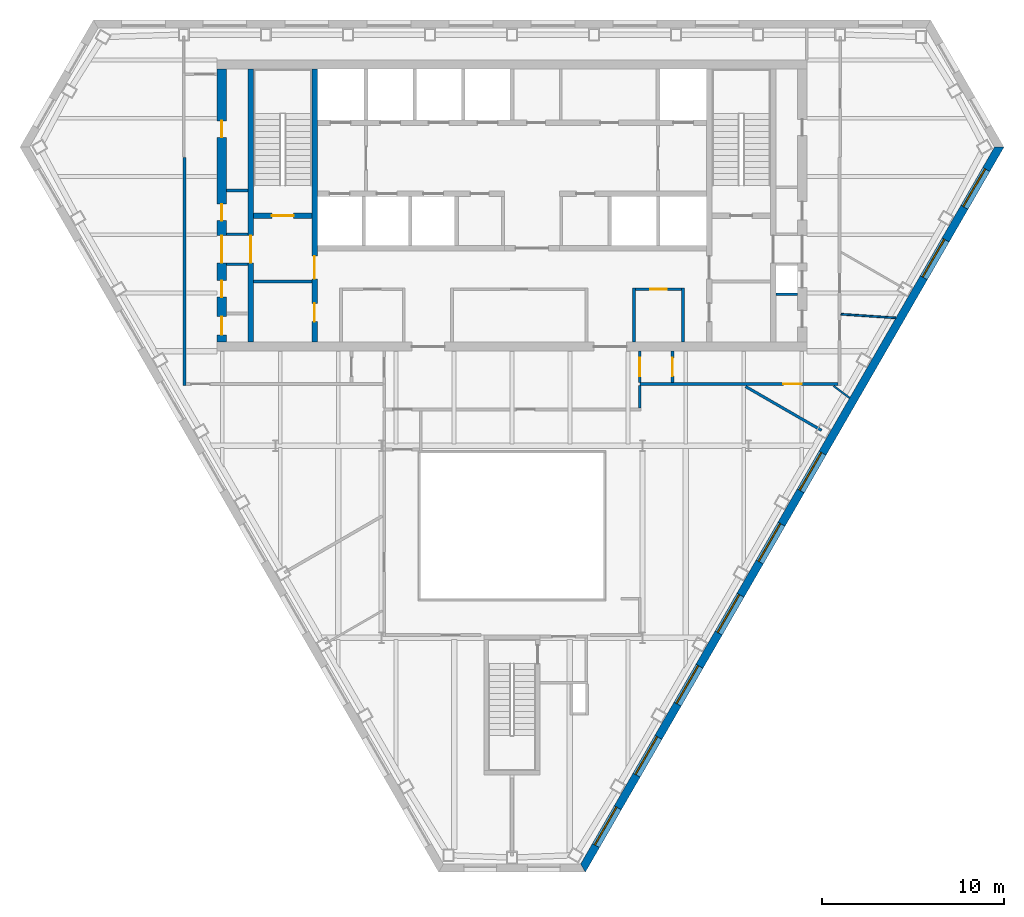
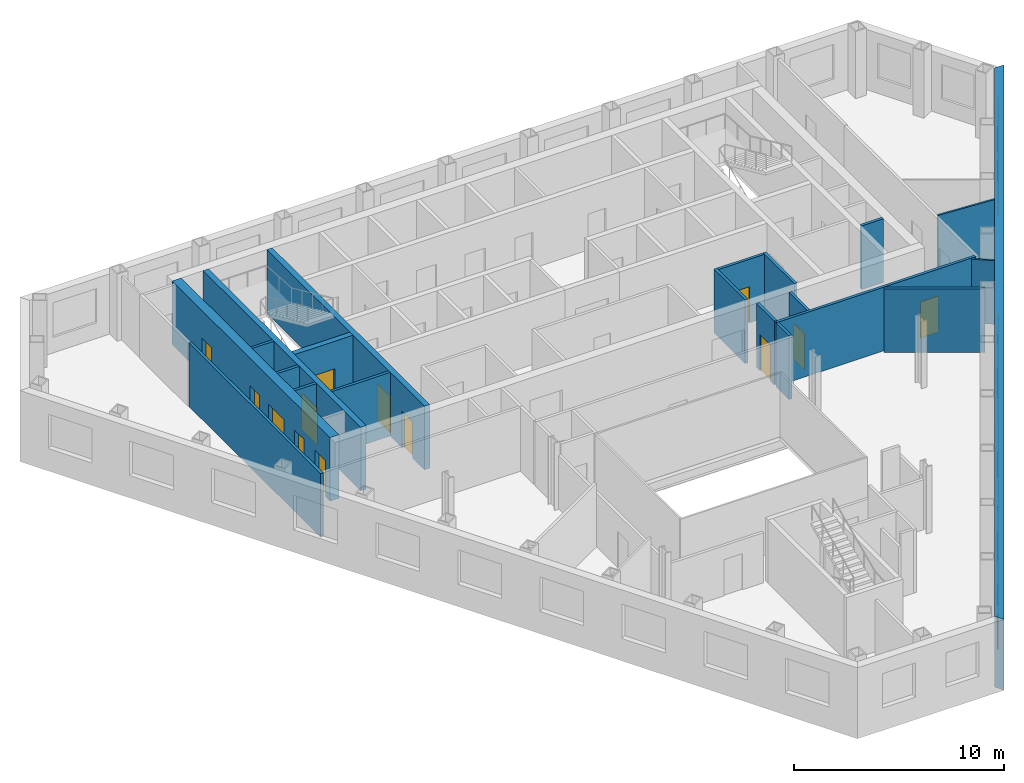
# One storey, part 5 of 11: 21 walls, 13 doors, 8 windows, 21 openings.
"""IFC4 building model written with IfcOpenShell, lengths in metres."""

from ifc_helpers import new_model, si_unit, direction, frame, frame_2d, origin, place, context, subcontext, project, spatial, polyline, rectangle, outline, extrude, material, layer, layer_set, type_object, element, fill, save


model = new_model("IFC4")

# Units and contexts
model_context = context("Model", 3, precision=1e-05, world=origin(), true_north=direction((0.0, 1.0)))
body_context = subcontext(model_context, "Body", "Model", "MODEL_VIEW")
ifc_project = project(units=[si_unit("LENGTHUNIT", "METRE"), si_unit("AREAUNIT", "SQUARE_METRE"), si_unit("VOLUMEUNIT", "CUBIC_METRE"), si_unit("PLANEANGLEUNIT", "RADIAN"), si_unit("MASSUNIT", "GRAM", prefix="KILO")], contexts=[model_context])

# Site, building, storey
site_placement = place(None, origin())
site = spatial("IfcSite", under=ifc_project, at=site_placement, CompositionType="ELEMENT")
building_placement = place(site_placement, origin())
building = spatial("IfcBuilding", under=site, at=building_placement, Name="Njiva Tower", CompositionType="ELEMENT")
storey_placement = place(building_placement, frame((0.0, 0.0, 182.7)))
storey = spatial("IfcBuildingStorey", under=building, at=storey_placement, Name="L40", CompositionType="ELEMENT", Elevation=182.7)

# Walls
ifc_material_1 = material(Name="Blockwork", Category="masonry")
ifc_layer_1 = layer(ifc_material_1, 0.15)
ifc_layer_set_1 = layer_set([ifc_layer_1], Name="Blockwork")
wall_type_1 = type_object("IfcWallType", Name="WT1 Compartment partition 150", PredefinedType="PARTITIONING", material=ifc_layer_set_1)
wall_1_placement = place(storey_placement, frame((-14.2, 5.825, 0.0), z_axis=(0.0, 0.0, 1.0), x_axis=(1.0, 0.0, 0.0)))
element("IfcWall", 1, at=wall_1_placement, inside=storey, type_object=wall_type_1, Name="Room wall A", PredefinedType="PARTITIONING", context=body_context, shape_type="SweptSolid", body=[
    extrude(rectangle(XDim=3.2, YDim=0.15, at=frame_2d((1.6, 0.0))), origin(), (0.0, 0.0, 1.0), 3.7),
])
for number, where, z_axis, x_axis, name in (
    (2, (6.7, 2.5, 0.0), (0.0, 0.0, 1.0), (0.0, 1.0, 0.0), "Information office wall west"),
    (3, (9.4, 2.5, 0.0), (0.0, 0.0, 1.0), (0.0, 1.0, 0.0), "Information office wall east"),
):
    element("IfcWall", number, at=place(storey_placement, frame(where, z_axis=z_axis, x_axis=x_axis)), inside=storey, type_object=wall_type_1, Name=name, PredefinedType="PARTITIONING", context=body_context, shape_type="SweptSolid", body=[
        extrude(rectangle(XDim=2.975, YDim=0.15, at=frame_2d((1.4875, 0.0))), origin(), (0.0, 0.0, 1.0), 3.7),
    ])

# Wall, opening, door
wall_2_placement = place(storey_placement, frame((6.775, 5.4, 0.0), z_axis=(0.0, 0.0, 1.0), x_axis=(1.0, 0.0, 0.0)))
wall_2 = element("IfcWall", 4, at=wall_2_placement, inside=storey, type_object=wall_type_1, Name="Information office wall north", PredefinedType="PARTITIONING", context=body_context, shape_type="SweptSolid", body=[
    extrude(rectangle(XDim=2.55, YDim=0.15, at=frame_2d((1.275, 0.0))), origin(), (0.0, 0.0, 1.0), 3.7),
])
opening_1_placement = place(wall_2_placement, frame((0.825, 0.0, 0.0)))
opening_1 = element("IfcOpeningElement", 5, at=opening_1_placement, cuts=wall_2, Name="Opening S13-D935", PredefinedType="OPENING", context=body_context, shape_type="SweptSolid", body=[
    extrude(rectangle(XDim=0.9, YDim=2.1, at=frame_2d((0.45, 1.05))), frame((0.0, 0.085, 0.0), z_axis=(0.0, -1.0, 0.0), x_axis=(1.0, 0.0, 0.0)), (0.0, 0.0, 1.0), 0.17),
])
ifc_material_2 = material(Name="Steel fire door, painted", Category="steel")
door_type_1 = type_object("IfcDoorType", Name="D6 Fire-rated door 900x2100", OperationType="SINGLE_SWING_LEFT", PredefinedType="DOOR", material=ifc_material_2)
door_1_placement = place(opening_1_placement, origin())
door_1 = element("IfcDoor", 6, at=door_1_placement, inside=storey, type_object=door_type_1, Name="Information office door", OperationType="SINGLE_SWING_RIGHT", OverallHeight=2.1, OverallWidth=0.9, PredefinedType="DOOR", context=body_context, shape_type="SweptSolid", body=[
    extrude(rectangle(XDim=0.9, YDim=2.1, at=frame_2d((0.45, 1.05))), frame((0.0, 0.025, 0.0), z_axis=(0.0, -1.0, 0.0), x_axis=(1.0, 0.0, 0.0)), (0.0, 0.0, 1.0), 0.05),
])
fill(opening_1, door_1)

# Wall, openings, doors
ifc_material_3 = material(Name="Concrete C40/50", Category="concrete")
ifc_layer_2 = layer(ifc_material_3, 0.3)
ifc_layer_set_2 = layer_set([ifc_layer_2], Name="Concrete C40/50")
wall_type_2 = type_object("IfcWallType", Name="WT10 Stair enclosure wall 300", PredefinedType="SHEAR", material=ifc_layer_set_2)
wall_3_placement = place(storey_placement, frame((-10.85, 2.5, 0.0), z_axis=(0.0, 0.0, 1.0), x_axis=(0.0, 1.0, 0.0)))
wall_3 = element("IfcWall", 7, at=wall_3_placement, inside=storey, type_object=wall_type_2, Name="Stair wall west inner", PredefinedType="SHEAR", context=body_context, shape_type="SweptSolid", body=[
    extrude(rectangle(XDim=15.0, YDim=0.3, at=frame_2d((7.5, 0.0))), origin(), (0.0, 0.0, 1.0), 3.7),
])
opening_2_placement = place(wall_3_placement, frame((3.475, 0.0, 0.0)))
opening_2 = element("IfcOpeningElement", 8, at=opening_2_placement, cuts=wall_3, Name="Opening S13-D915", PredefinedType="OPENING", context=body_context, shape_type="SweptSolid", body=[
    extrude(rectangle(XDim=1.25, YDim=2.1, at=frame_2d((0.625, 1.05))), frame((0.0, 0.16, 0.0), z_axis=(0.0, -1.0, 0.0), x_axis=(1.0, 0.0, 0.0)), (0.0, 0.0, 1.0), 0.32),
])
opening_3_placement = place(wall_3_placement, frame((1.125, 0.0, 0.0)))
opening_3 = element("IfcOpeningElement", 9, at=opening_3_placement, cuts=wall_3, Name="Opening S13-D916", PredefinedType="OPENING", context=body_context, shape_type="SweptSolid", body=[
    extrude(rectangle(XDim=1.0, YDim=2.1, at=frame_2d((0.5, 1.05))), frame((0.0, 0.16, 0.0), z_axis=(0.0, -1.0, 0.0), x_axis=(1.0, 0.0, 0.0)), (0.0, 0.0, 1.0), 0.32),
])
ifc_material_4 = material(Name="Steel door, painted", Category="steel")
door_type_2 = type_object("IfcDoorType", Name="D5 Steel door 1000x2100", OperationType="SINGLE_SWING_LEFT", PredefinedType="DOOR", material=ifc_material_4)
door_2_placement = place(opening_3_placement, origin())
door_2 = element("IfcDoor", 10, at=door_2_placement, inside=storey, type_object=door_type_2, Name="Reading room door", OperationType="SINGLE_SWING_RIGHT", OverallHeight=2.1, OverallWidth=1.0, PredefinedType="DOOR", context=body_context, shape_type="SweptSolid", body=[
    extrude(rectangle(XDim=1.0, YDim=2.1, at=frame_2d((0.5, 1.05))), frame((0.0, 0.025, 0.0), z_axis=(0.0, -1.0, 0.0), x_axis=(1.0, 0.0, 0.0)), (0.0, 0.0, 1.0), 0.05),
])
fill(opening_3, door_2)
ifc_material_5 = material(Name="Glazed steel fire door", Category="steel")
door_type_3 = type_object("IfcDoorType", Name="D8 Vestibule corridor door 1250x2100 glazed", OperationType="SINGLE_SWING_LEFT", PredefinedType="DOOR", material=ifc_material_5)
door_3_placement = place(opening_2_placement, origin())
door_3 = element("IfcDoor", 11, at=door_3_placement, inside=storey, type_object=door_type_3, Name="Stair vestibule corridor door", OperationType="SINGLE_SWING_LEFT", OverallHeight=2.1, OverallWidth=1.25, PredefinedType="DOOR", context=body_context, shape_type="SweptSolid", body=[
    extrude(rectangle(XDim=1.25, YDim=2.1, at=frame_2d((0.625, 1.05))), frame((0.0, 0.025, 0.0), z_axis=(0.0, -1.0, 0.0), x_axis=(1.0, 0.0, 0.0)), (0.0, 0.0, 1.0), 0.05),
])
fill(opening_2, door_3)

# Wall, opening, door
wall_4_placement = place(storey_placement, frame((-14.35, 2.5, 0.0), z_axis=(0.0, 0.0, 1.0), x_axis=(0.0, 1.0, 0.0)))
wall_4 = element("IfcWall", 12, at=wall_4_placement, inside=storey, type_object=wall_type_2, Name="Stair wall west outer", PredefinedType="SHEAR", context=body_context, shape_type="SweptSolid", body=[
    extrude(rectangle(XDim=15.0, YDim=0.3, at=frame_2d((7.5, 0.0))), origin(), (0.0, 0.0, 1.0), 3.7),
])
opening_4_placement = place(wall_4_placement, frame((4.35, 0.0, 0.0)))
opening_4 = element("IfcOpeningElement", 13, at=opening_4_placement, cuts=wall_4, Name="Opening S13-D921", PredefinedType="OPENING", context=body_context, shape_type="SweptSolid", body=[
    extrude(rectangle(XDim=1.5, YDim=2.1, at=frame_2d((0.75, 1.05))), frame((0.0, 0.16, 0.0), z_axis=(0.0, -1.0, 0.0), x_axis=(1.0, 0.0, 0.0)), (0.0, 0.0, 1.0), 0.32),
])
door_type_4 = type_object("IfcDoorType", Name="D10 Exit door double 1500x2100 glazed", OperationType="DOUBLE_DOOR_SINGLE_SWING", PredefinedType="DOOR", material=ifc_material_5)
door_4_placement = place(opening_4_placement, origin())
door_4 = element("IfcDoor", 14, at=door_4_placement, inside=storey, type_object=door_type_4, Name="Stair A passage door", OperationType="DOUBLE_DOOR_SINGLE_SWING", OverallHeight=2.1, OverallWidth=1.5, PredefinedType="DOOR", context=body_context, shape_type="SweptSolid", body=[
    extrude(rectangle(XDim=1.5, YDim=2.1, at=frame_2d((0.75, 1.05))), frame((0.0, 0.025, 0.0), z_axis=(0.0, -1.0, 0.0), x_axis=(1.0, 0.0, 0.0)), (0.0, 0.0, 1.0), 0.05),
])
fill(opening_4, door_4)

wall_5_placement = place(storey_placement, frame((-14.2, 9.45, 0.0), z_axis=(0.0, 0.0, 1.0), x_axis=(1.0, 0.0, 0.0)))
wall_5 = element("IfcWall", 15, at=wall_5_placement, inside=storey, type_object=wall_type_2, Name="Stair A south wall", PredefinedType="SHEAR", context=body_context, shape_type="SweptSolid", body=[
    extrude(rectangle(XDim=3.2, YDim=0.3, at=frame_2d((1.6, 0.0))), origin(), (0.0, 0.0, 1.0), 3.7),
])
opening_5_placement = place(wall_5_placement, frame((1.0, 0.0, 0.0)))
opening_5 = element("IfcOpeningElement", 16, at=opening_5_placement, cuts=wall_5, Name="Opening S13-D914", PredefinedType="OPENING", context=body_context, shape_type="SweptSolid", body=[
    extrude(rectangle(XDim=1.2, YDim=2.1, at=frame_2d((0.6, 1.05))), frame((0.0, 0.16, 0.0), z_axis=(0.0, -1.0, 0.0), x_axis=(1.0, 0.0, 0.0)), (0.0, 0.0, 1.0), 0.32),
])
door_type_5 = type_object("IfcDoorType", Name="D7 Stair vestibule door 1200x2100 glazed", OperationType="SINGLE_SWING_LEFT", PredefinedType="DOOR", material=ifc_material_5)
door_5_placement = place(opening_5_placement, origin())
door_5 = element("IfcDoor", 17, at=door_5_placement, inside=storey, type_object=door_type_5, Name="Stair A door", OperationType="SINGLE_SWING_LEFT", OverallHeight=2.1, OverallWidth=1.2, PredefinedType="DOOR", context=body_context, shape_type="SweptSolid", body=[
    extrude(rectangle(XDim=1.2, YDim=2.1, at=frame_2d((0.6, 1.05))), frame((0.0, 0.025, 0.0), z_axis=(0.0, -1.0, 0.0), x_axis=(1.0, 0.0, 0.0)), (0.0, 0.0, 1.0), 0.05),
])
fill(opening_5, door_5)

# Wall, openings, doors
ifc_material_6 = material(Name="Concrete C60/75", Category="concrete")
ifc_layer_3 = layer(ifc_material_6, 0.5)
ifc_layer_set_3 = layer_set([ifc_layer_3], Name="Concrete C60/75")
wall_type_3 = type_object("IfcWallType", Name="WT13 Core wall 500", PredefinedType="SHEAR", material=ifc_layer_set_3)
wall_6_placement = place(storey_placement, frame((-15.95, 2.5, 0.0), z_axis=(0.0, 0.0, 1.0), x_axis=(0.0, 1.0, 0.0)))
wall_6 = element("IfcWall", 18, at=wall_6_placement, inside=storey, type_object=wall_type_3, Name="Core wall west", PredefinedType="SHEAR", context=body_context, shape_type="SweptSolid", body=[
    extrude(rectangle(XDim=15.0, YDim=0.5, at=frame_2d((7.5, 0.0))), origin(), (0.0, 0.0, 1.0), 3.7),
])
opening_6_placement = place(wall_6_placement, frame((4.35, 0.0, 0.0)))
opening_6 = element("IfcOpeningElement", 19, at=opening_6_placement, cuts=wall_6, Name="Opening S13-D922", PredefinedType="OPENING", context=body_context, shape_type="SweptSolid", body=[
    extrude(rectangle(XDim=1.5, YDim=2.1, at=frame_2d((0.75, 1.05))), frame((0.0, 0.26, 0.0), z_axis=(0.0, -1.0, 0.0), x_axis=(1.0, 0.0, 0.0)), (0.0, 0.0, 1.0), 0.52),
])
opening_7_placement = place(wall_6_placement, frame((0.4, 0.0, 0.0)))
opening_7 = element("IfcOpeningElement", 20, at=opening_7_placement, cuts=wall_6, Name="Opening S13-D923", PredefinedType="OPENING", context=body_context, shape_type="SweptSolid", body=[
    extrude(rectangle(XDim=1.0, YDim=2.1, at=frame_2d((0.5, 1.05))), frame((0.0, 0.26, 0.0), z_axis=(0.0, -1.0, 0.0), x_axis=(1.0, 0.0, 0.0)), (0.0, 0.0, 1.0), 0.52),
])
opening_8_placement = place(wall_6_placement, frame((2.475, 0.0, 0.0)))
opening_8 = element("IfcOpeningElement", 21, at=opening_8_placement, cuts=wall_6, Name="Opening S13-D924", PredefinedType="OPENING", context=body_context, shape_type="SweptSolid", body=[
    extrude(rectangle(XDim=0.9, YDim=2.1, at=frame_2d((0.45, 1.05))), frame((0.0, 0.26, 0.0), z_axis=(0.0, -1.0, 0.0), x_axis=(1.0, 0.0, 0.0)), (0.0, 0.0, 1.0), 0.52),
])
opening_9_placement = place(wall_6_placement, frame((6.6773, 0.0, 0.0)))
opening_9 = element("IfcOpeningElement", 22, at=opening_9_placement, cuts=wall_6, Name="Opening S13-D925", PredefinedType="OPENING", context=body_context, shape_type="SweptSolid", body=[
    extrude(rectangle(XDim=0.9, YDim=2.1, at=frame_2d((0.45, 1.05))), frame((0.0, 0.26, 0.0), z_axis=(0.0, -1.0, 0.0), x_axis=(1.0, 0.0, 0.0)), (0.0, 0.0, 1.0), 0.52),
])
opening_10_placement = place(wall_6_placement, frame((11.2523, 0.0, 0.0)))
opening_10 = element("IfcOpeningElement", 23, at=opening_10_placement, cuts=wall_6, Name="Opening S13-D926", PredefinedType="OPENING", context=body_context, shape_type="SweptSolid", body=[
    extrude(rectangle(XDim=0.9, YDim=2.1, at=frame_2d((0.45, 1.05))), frame((0.0, 0.26, 0.0), z_axis=(0.0, -1.0, 0.0), x_axis=(1.0, 0.0, 0.0)), (0.0, 0.0, 1.0), 0.52),
])
door_6_placement = place(opening_6_placement, origin())
door_6 = element("IfcDoor", 24, at=door_6_placement, inside=storey, type_object=door_type_4, Name="Stair A corridor door", OperationType="DOUBLE_DOOR_SINGLE_SWING", OverallHeight=2.1, OverallWidth=1.5, PredefinedType="DOOR", context=body_context, shape_type="SweptSolid", body=[
    extrude(rectangle(XDim=1.5, YDim=2.1, at=frame_2d((0.75, 1.05))), frame((0.0, 0.025, 0.0), z_axis=(0.0, -1.0, 0.0), x_axis=(1.0, 0.0, 0.0)), (0.0, 0.0, 1.0), 0.05),
])
fill(opening_6, door_6)
door_type_6 = type_object("IfcDoorType", Name="D4 Riser door 900x2100", OperationType="SINGLE_SWING_LEFT", PredefinedType="DOOR", material=ifc_material_4)
door_7_placement = place(opening_9_placement, origin())
door_7 = element("IfcDoor", 25, at=door_7_placement, inside=storey, type_object=door_type_6, Name="Cable riser door", OperationType="SINGLE_SWING_RIGHT", OverallHeight=2.1, OverallWidth=0.9, PredefinedType="DOOR", context=body_context, shape_type="SweptSolid", body=[
    extrude(rectangle(XDim=0.9, YDim=2.1, at=frame_2d((0.45, 1.05))), frame((0.0, 0.025, 0.0), z_axis=(0.0, -1.0, 0.0), x_axis=(1.0, 0.0, 0.0)), (0.0, 0.0, 1.0), 0.05),
])
fill(opening_9, door_7)
door_8_placement = place(opening_7_placement, origin())
door_8 = element("IfcDoor", 26, at=door_8_placement, inside=storey, type_object=door_type_2, Name="Electrical room door", OperationType="SINGLE_SWING_RIGHT", OverallHeight=2.1, OverallWidth=1.0, PredefinedType="DOOR", context=body_context, shape_type="SweptSolid", body=[
    extrude(rectangle(XDim=1.0, YDim=2.1, at=frame_2d((0.5, 1.05))), frame((0.0, 0.025, 0.0), z_axis=(0.0, -1.0, 0.0), x_axis=(1.0, 0.0, 0.0)), (0.0, 0.0, 1.0), 0.05),
])
fill(opening_7, door_8)
door_9_placement = place(opening_8_placement, origin())
door_9 = element("IfcDoor", 27, at=door_9_placement, inside=storey, type_object=door_type_1, Name="Cable store door", OperationType="SINGLE_SWING_RIGHT", OverallHeight=2.1, OverallWidth=0.9, PredefinedType="DOOR", context=body_context, shape_type="SweptSolid", body=[
    extrude(rectangle(XDim=0.9, YDim=2.1, at=frame_2d((0.45, 1.05))), frame((0.0, 0.025, 0.0), z_axis=(0.0, -1.0, 0.0), x_axis=(1.0, 0.0, 0.0)), (0.0, 0.0, 1.0), 0.05),
])
fill(opening_8, door_9)
door_10_placement = place(opening_10_placement, origin())
door_10 = element("IfcDoor", 28, at=door_10_placement, inside=storey, type_object=door_type_1, Name="Cable store door", OperationType="SINGLE_SWING_LEFT", OverallHeight=2.1, OverallWidth=0.9, PredefinedType="DOOR", context=body_context, shape_type="SweptSolid", body=[
    extrude(rectangle(XDim=0.9, YDim=2.1, at=frame_2d((0.45, 1.05))), frame((0.0, 0.025, 0.0), z_axis=(0.0, -1.0, 0.0), x_axis=(1.0, 0.0, 0.0)), (0.0, 0.0, 1.0), 0.05),
])
fill(opening_10, door_10)

# Walls
ifc_material_7 = material(Name="Gypsum board on steel studs", Category="gypsum")
ifc_layer_4 = layer(ifc_material_7, 0.1)
ifc_layer_set_4 = layer_set([ifc_layer_4], Name="Gypsum board on steel studs")
wall_type_4 = type_object("IfcWallType", Name="WT20 Gypsum partition 100", PredefinedType="PARTITIONING", material=ifc_layer_set_4)
wall_7_placement = place(storey_placement, frame((17.678, 0.085, 0.0), z_axis=(0.0, 0.0, 1.0), x_axis=(0.8020803948, -0.597216075033, 0.0)))
element("IfcWall", 29, at=wall_7_placement, inside=storey, type_object=wall_type_4, Name="Partition S13-P026", PredefinedType="PARTITIONING", context=body_context, shape_type="SweptSolid", body=[
    extrude(rectangle(XDim=1.0934, YDim=0.1, at=frame_2d((0.5467, 0.0))), origin(), (0.0, 0.0, 1.0), 3.7),
])
wall_8_placement = place(storey_placement, frame((18.078, 4.033, 0.0), z_axis=(0.0, 0.0, 1.0), x_axis=(0.997764616993, -0.066826410024, 0.0)))
element("IfcWall", 30, at=wall_8_placement, inside=storey, type_object=wall_type_4, Name="Partition S13-P029", PredefinedType="PARTITIONING", context=body_context, shape_type="SweptSolid", body=[
    extrude(rectangle(XDim=3.0228, YDim=0.1, at=frame_2d((1.5114, 0.0))), origin(), (0.0, 0.0, 1.0), 3.7),
])
ifc_layer_5 = layer(ifc_material_7, 0.15)
ifc_layer_set_5 = layer_set([ifc_layer_5], Name="Gypsum board on steel studs")
wall_type_5 = type_object("IfcWallType", Name="WT21 Compartment wall 150", PredefinedType="PARTITIONING", material=ifc_layer_set_5)
wall_9_placement = place(storey_placement, frame((-18.0, 0.125, 0.0), z_axis=(0.0, 0.0, 1.0), x_axis=(0.0, 1.0, 0.0)))
element("IfcWall", 31, at=wall_9_placement, inside=storey, type_object=wall_type_5, Name="Partition S13-P003", PredefinedType="PARTITIONING", context=body_context, shape_type="SweptSolid", body=[
    extrude(rectangle(XDim=12.532, YDim=0.15, at=frame_2d((6.266, 0.0))), origin(), (0.0, 0.0, 1.0), 3.7),
])
wall_10_placement = place(storey_placement, frame((7.02, -1.125, 0.0), z_axis=(0.0, 0.0, 1.0), x_axis=(0.0, 1.0, 0.0)))
element("IfcWall", 32, at=wall_10_placement, inside=storey, type_object=wall_type_5, Name="Partition S13-P020", PredefinedType="PARTITIONING", context=body_context, shape_type="SweptSolid", body=[
    extrude(rectangle(XDim=1.25, YDim=0.15, at=frame_2d((0.625, 0.0))), origin(), (0.0, 0.0, 1.0), 3.7),
])

# Wall, opening, door
wall_11_placement = place(storey_placement, frame((7.02, 0.2, 0.0), z_axis=(0.0, 0.0, 1.0), x_axis=(1.0, 0.0, 0.0)))
wall_11 = element("IfcWall", 33, at=wall_11_placement, inside=storey, type_object=wall_type_5, Name="Partition S13-P021", PredefinedType="PARTITIONING", context=body_context, shape_type="SweptSolid", body=[
    extrude(rectangle(XDim=10.905, YDim=0.15, at=frame_2d((5.4525, 0.0))), origin(), (0.0, 0.0, 1.0), 3.7),
])
opening_11_placement = place(wall_11_placement, frame((7.891, 0.0, 0.0)))
opening_11 = element("IfcOpeningElement", 34, at=opening_11_placement, cuts=wall_11, Name="Opening S13-D010", PredefinedType="OPENING", context=body_context, shape_type="SweptSolid", body=[
    extrude(rectangle(XDim=1.0, YDim=2.1, at=frame_2d((0.5, 1.05))), frame((0.0, 0.085, 0.0), z_axis=(0.0, -1.0, 0.0), x_axis=(1.0, 0.0, 0.0)), (0.0, 0.0, 1.0), 0.17),
])
ifc_material_8 = material(Name="Steel fire door set", Category="steel")
door_type_7 = type_object("IfcDoorType", Name="D37 Fire door 1000x2100", OperationType="SINGLE_SWING_LEFT", PredefinedType="DOOR", material=ifc_material_8)
door_11_placement = place(opening_11_placement, origin())
door_11 = element("IfcDoor", 35, at=door_11_placement, inside=storey, type_object=door_type_7, Name="Door S13-D010", OperationType="SINGLE_SWING_RIGHT", OverallHeight=2.1, OverallWidth=1.0, PredefinedType="DOOR", context=body_context, shape_type="SweptSolid", body=[
    extrude(rectangle(XDim=1.0, YDim=2.1, at=frame_2d((0.5, 1.05))), frame((0.0, 0.025, 0.0), z_axis=(0.0, -1.0, 0.0), x_axis=(1.0, 0.0, 0.0)), (0.0, 0.0, 1.0), 0.05),
])
fill(opening_11, door_11)

wall_12_placement = place(storey_placement, frame((7.02, 0.275, 0.0), z_axis=(0.0, 0.0, 1.0), x_axis=(0.0, 1.0, 0.0)))
wall_12 = element("IfcWall", 36, at=wall_12_placement, inside=storey, type_object=wall_type_5, Name="Partition S13-P022", PredefinedType="PARTITIONING", context=body_context, shape_type="SweptSolid", body=[
    extrude(rectangle(XDim=1.725, YDim=0.15, at=frame_2d((0.8625, 0.0))), origin(), (0.0, 0.0, 1.0), 3.7),
])
opening_12_placement = place(wall_12_placement, frame((0.362, 0.0, 0.0)))
opening_12 = element("IfcOpeningElement", 37, at=opening_12_placement, cuts=wall_12, Name="Opening S13-D011", PredefinedType="OPENING", context=body_context, shape_type="SweptSolid", body=[
    extrude(rectangle(XDim=1.0, YDim=2.1, at=frame_2d((0.5, 1.05))), frame((0.0, 0.085, 0.0), z_axis=(0.0, -1.0, 0.0), x_axis=(1.0, 0.0, 0.0)), (0.0, 0.0, 1.0), 0.17),
])
door_12_placement = place(opening_12_placement, origin())
door_12 = element("IfcDoor", 38, at=door_12_placement, inside=storey, type_object=door_type_7, Name="Door S13-D011", OperationType="SINGLE_SWING_LEFT", OverallHeight=2.1, OverallWidth=1.0, PredefinedType="DOOR", context=body_context, shape_type="SweptSolid", body=[
    extrude(rectangle(XDim=1.0, YDim=2.1, at=frame_2d((0.5, 1.05))), frame((0.0, 0.025, 0.0), z_axis=(0.0, -1.0, 0.0), x_axis=(1.0, 0.0, 0.0)), (0.0, 0.0, 1.0), 0.05),
])
fill(opening_12, door_12)

wall_13_placement = place(storey_placement, frame((8.82, 0.275, 0.0), z_axis=(0.0, 0.0, 1.0), x_axis=(0.0, 1.0, 0.0)))
wall_13 = element("IfcWall", 39, at=wall_13_placement, inside=storey, type_object=wall_type_5, Name="Partition S13-P023", PredefinedType="PARTITIONING", context=body_context, shape_type="SweptSolid", body=[
    extrude(rectangle(XDim=1.725, YDim=0.15, at=frame_2d((0.8625, 0.0))), origin(), (0.0, 0.0, 1.0), 3.7),
])
opening_13_placement = place(wall_13_placement, frame((0.363, 0.0, 0.0)))
opening_13 = element("IfcOpeningElement", 40, at=opening_13_placement, cuts=wall_13, Name="Opening S13-D012", PredefinedType="OPENING", context=body_context, shape_type="SweptSolid", body=[
    extrude(rectangle(XDim=1.0, YDim=2.1, at=frame_2d((0.5, 1.05))), frame((0.0, 0.085, 0.0), z_axis=(0.0, -1.0, 0.0), x_axis=(1.0, 0.0, 0.0)), (0.0, 0.0, 1.0), 0.17),
])
door_13_placement = place(opening_13_placement, origin())
door_13 = element("IfcDoor", 41, at=door_13_placement, inside=storey, type_object=door_type_7, Name="Door S13-D012", OperationType="SINGLE_SWING_RIGHT", OverallHeight=2.1, OverallWidth=1.0, PredefinedType="DOOR", context=body_context, shape_type="SweptSolid", body=[
    extrude(rectangle(XDim=1.0, YDim=2.1, at=frame_2d((0.5, 1.05))), frame((0.0, 0.025, 0.0), z_axis=(0.0, -1.0, 0.0), x_axis=(1.0, 0.0, 0.0)), (0.0, 0.0, 1.0), 0.05),
])
fill(opening_13, door_13)

# Walls
wall_14_placement = place(storey_placement, frame((12.836, 0.06, 0.0), z_axis=(0.0, 0.0, 1.0), x_axis=(0.866088799389, -0.499890179513, 0.0)))
element("IfcWall", 42, at=wall_14_placement, inside=storey, type_object=wall_type_5, Name="Partition S13-P024", PredefinedType="PARTITIONING", context=body_context, shape_type="SweptSolid", body=[
    extrude(rectangle(XDim=4.8171, YDim=0.15, at=frame_2d((2.4086, 0.0))), origin(), (0.0, 0.0, 1.0), 3.7),
])
ifc_layer_6 = layer(ifc_material_1, 0.15)
ifc_layer_set_6 = layer_set([ifc_layer_6], Name="Blockwork")
wall_type_6 = type_object("IfcWallType", Name="WT3 Riser partition 150", PredefinedType="PARTITIONING", material=ifc_layer_set_6)
for number, where, z_axis, x_axis, name in (
    (43, (-15.7, 10.8295, 0.0), (0.0, 0.0, 1.0), (1.0, 0.0, 0.0), "Partition strip W10"),
    (44, (14.5, 5.125, 0.0), (0.0, 0.0, 1.0), (1.0, 0.0, 0.0), "Partition strip E00"),
):
    element("IfcWall", number, at=place(storey_placement, frame(where, z_axis=z_axis, x_axis=x_axis)), inside=storey, type_object=wall_type_6, Name=name, PredefinedType="PARTITIONING", context=body_context, shape_type="SweptSolid", body=[
        extrude(rectangle(XDim=1.2, YDim=0.15, at=frame_2d((0.6, 0.0))), origin(), (0.0, 0.0, 1.0), 3.7),
    ])
ifc_layer_7 = layer(ifc_material_1, 0.15)
ifc_layer_set_7 = layer_set([ifc_layer_7], Name="Blockwork")
wall_type_7 = type_object("IfcWallType", Name="WT4 Stair partition 150", PredefinedType="PARTITIONING", material=ifc_layer_set_7)
for number, where, z_axis, x_axis, name in (
    (45, (-15.7, 6.775, 0.0), (0.0, 0.0, 1.0), (1.0, 0.0, 0.0), "Stair A exit passage wall south"),
    (46, (-15.7, 8.425, 0.0), (0.0, 0.0, 1.0), (1.0, 0.0, 0.0), "Stair A exit passage wall north"),
):
    element("IfcWall", number, at=place(storey_placement, frame(where, z_axis=z_axis, x_axis=x_axis)), inside=storey, type_object=wall_type_7, Name=name, PredefinedType="PARTITIONING", context=body_context, shape_type="SweptSolid", body=[
        extrude(rectangle(XDim=1.2, YDim=0.15, at=frame_2d((0.6, 0.0))), origin(), (0.0, 0.0, 1.0), 3.7),
    ])

# Wall, openings, windows
ifc_material_9 = material(Name="Brick masonry", Category="masonry")
ifc_layer_8 = layer(ifc_material_9, 0.45)
ifc_layer_set_8 = layer_set([ifc_layer_8], Name="Brick masonry")
wall_type_8 = type_object("IfcWallType", Name="WT90 Brick pier and spandrel wall 450", PredefinedType="SOLIDWALL", material=ifc_layer_set_8)
wall_15_placement = place(storey_placement, frame((3.9001, -26.401, -0.4), z_axis=(0.0, 0.0, 1.0), x_axis=(0.500000335318, 0.866025210188, 0.0)))
wall_15 = element("IfcWall", 47, at=wall_15_placement, inside=storey, type_object=wall_type_8, Name="Facade wall SE", PredefinedType="SOLIDWALL", context=body_context, shape_type="SweptSolid", body=[
    extrude(outline(polyline([(-0.1299, -0.225), (45.8801, -0.225), (45.6203, 0.225), (0.1299, 0.225), (-0.1299, -0.225)])), origin(), (0.0, 0.0, 1.0), 4.12),
])
opening_14_placement = place(wall_15_placement, frame((1.4247, 0.0, 1.3)))
opening_14 = element("IfcOpeningElement", 48, at=opening_14_placement, cuts=wall_15, Name="Opening S13-W24", PredefinedType="OPENING", context=body_context, shape_type="SweptSolid", body=[
    extrude(rectangle(XDim=2.4, YDim=2.0, at=frame_2d((1.2, 1.0))), frame((0.0, 0.235, 0.0), z_axis=(0.0, -1.0, 0.0), x_axis=(1.0, 0.0, 0.0)), (0.0, 0.0, 1.0), 0.47),
])
opening_15_placement = place(wall_15_placement, frame((5.8949, 0.0, 1.3)))
opening_15 = element("IfcOpeningElement", 49, at=opening_15_placement, cuts=wall_15, Name="Opening S13-W25", PredefinedType="OPENING", context=body_context, shape_type="SweptSolid", body=[
    extrude(rectangle(XDim=2.4, YDim=2.0, at=frame_2d((1.2, 1.0))), frame((0.0, 0.235, 0.0), z_axis=(0.0, -1.0, 0.0), x_axis=(1.0, 0.0, 0.0)), (0.0, 0.0, 1.0), 0.47),
])
opening_16_placement = place(wall_15_placement, frame((10.4035, 0.0, 1.3)))
opening_16 = element("IfcOpeningElement", 50, at=opening_16_placement, cuts=wall_15, Name="Opening S13-W26", PredefinedType="OPENING", context=body_context, shape_type="SweptSolid", body=[
    extrude(rectangle(XDim=2.4, YDim=2.0, at=frame_2d((1.2, 1.0))), frame((0.0, 0.235, 0.0), z_axis=(0.0, -1.0, 0.0), x_axis=(1.0, 0.0, 0.0)), (0.0, 0.0, 1.0), 0.47),
])
opening_17_placement = place(wall_15_placement, frame((14.9122, 0.0, 1.3)))
opening_17 = element("IfcOpeningElement", 51, at=opening_17_placement, cuts=wall_15, Name="Opening S13-W27", PredefinedType="OPENING", context=body_context, shape_type="SweptSolid", body=[
    extrude(rectangle(XDim=2.4, YDim=2.0, at=frame_2d((1.2, 1.0))), frame((0.0, 0.235, 0.0), z_axis=(0.0, -1.0, 0.0), x_axis=(1.0, 0.0, 0.0)), (0.0, 0.0, 1.0), 0.47),
])
opening_18_placement = place(wall_15_placement, frame((19.4208, 0.0, 1.3)))
opening_18 = element("IfcOpeningElement", 52, at=opening_18_placement, cuts=wall_15, Name="Opening S13-W28", PredefinedType="OPENING", context=body_context, shape_type="SweptSolid", body=[
    extrude(rectangle(XDim=2.4, YDim=2.0, at=frame_2d((1.2, 1.0))), frame((0.0, 0.235, 0.0), z_axis=(0.0, -1.0, 0.0), x_axis=(1.0, 0.0, 0.0)), (0.0, 0.0, 1.0), 0.47),
])
opening_19_placement = place(wall_15_placement, frame((23.9294, 0.0, 1.3)))
opening_19 = element("IfcOpeningElement", 53, at=opening_19_placement, cuts=wall_15, Name="Opening S13-W29", PredefinedType="OPENING", context=body_context, shape_type="SweptSolid", body=[
    extrude(rectangle(XDim=2.4, YDim=2.0, at=frame_2d((1.2, 1.0))), frame((0.0, 0.235, 0.0), z_axis=(0.0, -1.0, 0.0), x_axis=(1.0, 0.0, 0.0)), (0.0, 0.0, 1.0), 0.47),
])
opening_20_placement = place(wall_15_placement, frame((37.4553, 0.0, 1.3)))
opening_20 = element("IfcOpeningElement", 54, at=opening_20_placement, cuts=wall_15, Name="Opening S13-W30", PredefinedType="OPENING", context=body_context, shape_type="SweptSolid", body=[
    extrude(rectangle(XDim=2.4, YDim=2.0, at=frame_2d((1.2, 1.0))), frame((0.0, 0.235, 0.0), z_axis=(0.0, -1.0, 0.0), x_axis=(1.0, 0.0, 0.0)), (0.0, 0.0, 1.0), 0.47),
])
opening_21_placement = place(wall_15_placement, frame((41.9255, 0.0, 1.3)))
opening_21 = element("IfcOpeningElement", 55, at=opening_21_placement, cuts=wall_15, Name="Opening S13-W31", PredefinedType="OPENING", context=body_context, shape_type="SweptSolid", body=[
    extrude(rectangle(XDim=2.4, YDim=2.0, at=frame_2d((1.2, 1.0))), frame((0.0, 0.235, 0.0), z_axis=(0.0, -1.0, 0.0), x_axis=(1.0, 0.0, 0.0)), (0.0, 0.0, 1.0), 0.47),
])
ifc_material_10 = material(Name="Clear glazing in aluminium frame", Category="aluminium")
window_type = type_object("IfcWindowType", Name="W90 Deep-set window 2400x2000", PartitioningType="SINGLE_PANEL", PredefinedType="WINDOW", material=ifc_material_10)
window_1_placement = place(opening_14_placement, origin())
window_1 = element("IfcWindow", 56, at=window_1_placement, inside=storey, type_object=window_type, Name="Window", OverallHeight=2.0, OverallWidth=2.4, PartitioningType="SINGLE_PANEL", PredefinedType="WINDOW", context=body_context, shape_type="SweptSolid", body=[
    extrude(rectangle(XDim=2.4, YDim=2.0, at=frame_2d((1.2, 1.0))), frame((0.0, 0.105, 0.0), z_axis=(0.0, -1.0, 0.0), x_axis=(1.0, 0.0, 0.0)), (0.0, 0.0, 1.0), 0.06),
])
fill(opening_14, window_1)
window_2_placement = place(opening_15_placement, origin())
window_2 = element("IfcWindow", 57, at=window_2_placement, inside=storey, type_object=window_type, Name="Window", OverallHeight=2.0, OverallWidth=2.4, PartitioningType="SINGLE_PANEL", PredefinedType="WINDOW", context=body_context, shape_type="SweptSolid", body=[
    extrude(rectangle(XDim=2.4, YDim=2.0, at=frame_2d((1.2, 1.0))), frame((0.0, 0.105, 0.0), z_axis=(0.0, -1.0, 0.0), x_axis=(1.0, 0.0, 0.0)), (0.0, 0.0, 1.0), 0.06),
])
fill(opening_15, window_2)
window_3_placement = place(opening_16_placement, origin())
window_3 = element("IfcWindow", 58, at=window_3_placement, inside=storey, type_object=window_type, Name="Window", OverallHeight=2.0, OverallWidth=2.4, PartitioningType="SINGLE_PANEL", PredefinedType="WINDOW", context=body_context, shape_type="SweptSolid", body=[
    extrude(rectangle(XDim=2.4, YDim=2.0, at=frame_2d((1.2, 1.0))), frame((0.0, 0.105, 0.0), z_axis=(0.0, -1.0, 0.0), x_axis=(1.0, 0.0, 0.0)), (0.0, 0.0, 1.0), 0.06),
])
fill(opening_16, window_3)
window_4_placement = place(opening_17_placement, origin())
window_4 = element("IfcWindow", 59, at=window_4_placement, inside=storey, type_object=window_type, Name="Window", OverallHeight=2.0, OverallWidth=2.4, PartitioningType="SINGLE_PANEL", PredefinedType="WINDOW", context=body_context, shape_type="SweptSolid", body=[
    extrude(rectangle(XDim=2.4, YDim=2.0, at=frame_2d((1.2, 1.0))), frame((0.0, 0.105, 0.0), z_axis=(0.0, -1.0, 0.0), x_axis=(1.0, 0.0, 0.0)), (0.0, 0.0, 1.0), 0.06),
])
fill(opening_17, window_4)
window_5_placement = place(opening_18_placement, origin())
window_5 = element("IfcWindow", 60, at=window_5_placement, inside=storey, type_object=window_type, Name="Window", OverallHeight=2.0, OverallWidth=2.4, PartitioningType="SINGLE_PANEL", PredefinedType="WINDOW", context=body_context, shape_type="SweptSolid", body=[
    extrude(rectangle(XDim=2.4, YDim=2.0, at=frame_2d((1.2, 1.0))), frame((0.0, 0.105, 0.0), z_axis=(0.0, -1.0, 0.0), x_axis=(1.0, 0.0, 0.0)), (0.0, 0.0, 1.0), 0.06),
])
fill(opening_18, window_5)
window_6_placement = place(opening_19_placement, origin())
window_6 = element("IfcWindow", 61, at=window_6_placement, inside=storey, type_object=window_type, Name="Window", OverallHeight=2.0, OverallWidth=2.4, PartitioningType="SINGLE_PANEL", PredefinedType="WINDOW", context=body_context, shape_type="SweptSolid", body=[
    extrude(rectangle(XDim=2.4, YDim=2.0, at=frame_2d((1.2, 1.0))), frame((0.0, 0.105, 0.0), z_axis=(0.0, -1.0, 0.0), x_axis=(1.0, 0.0, 0.0)), (0.0, 0.0, 1.0), 0.06),
])
fill(opening_19, window_6)
window_7_placement = place(opening_20_placement, origin())
window_7 = element("IfcWindow", 62, at=window_7_placement, inside=storey, type_object=window_type, Name="Window", OverallHeight=2.0, OverallWidth=2.4, PartitioningType="SINGLE_PANEL", PredefinedType="WINDOW", context=body_context, shape_type="SweptSolid", body=[
    extrude(rectangle(XDim=2.4, YDim=2.0, at=frame_2d((1.2, 1.0))), frame((0.0, 0.105, 0.0), z_axis=(0.0, -1.0, 0.0), x_axis=(1.0, 0.0, 0.0)), (0.0, 0.0, 1.0), 0.06),
])
fill(opening_20, window_7)
window_8_placement = place(opening_21_placement, origin())
window_8 = element("IfcWindow", 63, at=window_8_placement, inside=storey, type_object=window_type, Name="Window", OverallHeight=2.0, OverallWidth=2.4, PartitioningType="SINGLE_PANEL", PredefinedType="WINDOW", context=body_context, shape_type="SweptSolid", body=[
    extrude(rectangle(XDim=2.4, YDim=2.0, at=frame_2d((1.2, 1.0))), frame((0.0, 0.105, 0.0), z_axis=(0.0, -1.0, 0.0), x_axis=(1.0, 0.0, 0.0)), (0.0, 0.0, 1.0), 0.06),
])
fill(opening_21, window_8)

save(model, "model.ifc")
